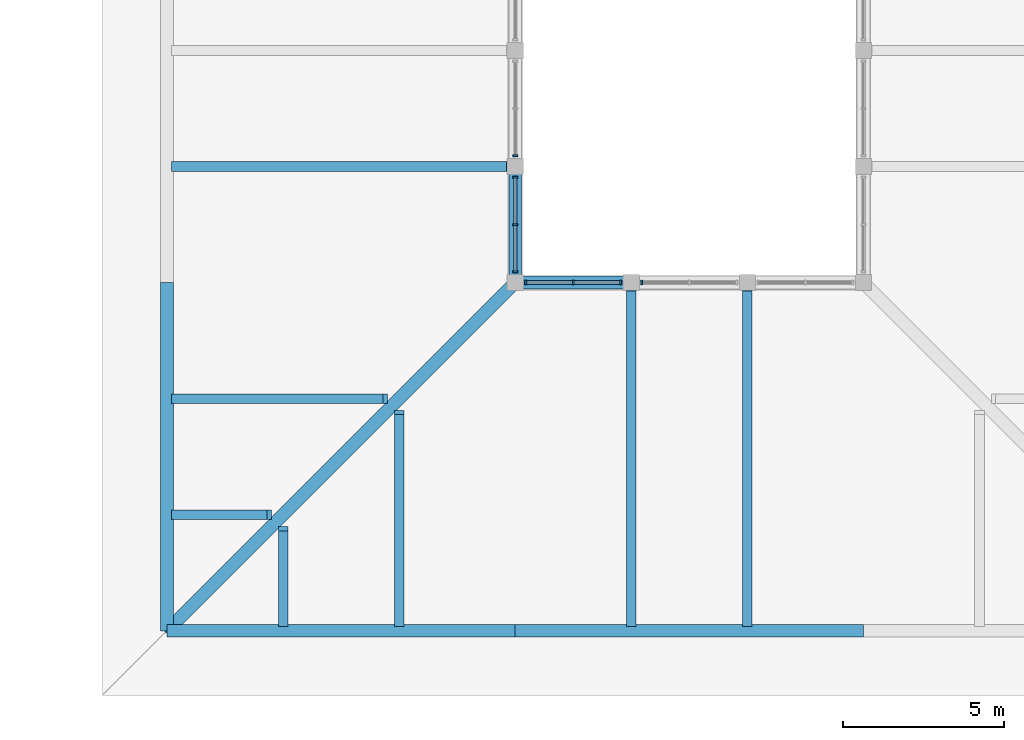
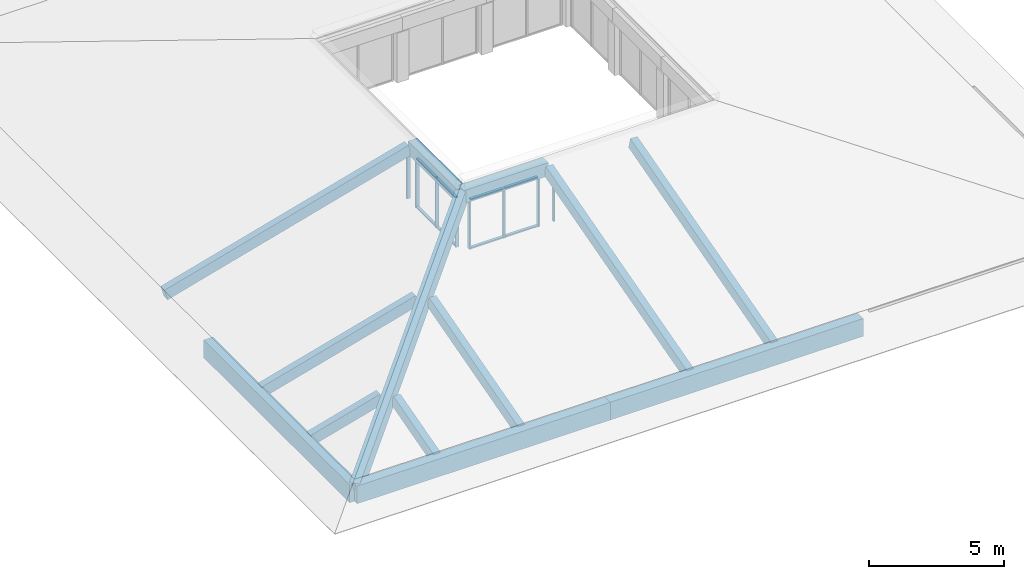
# One storey, part 9 of 95: 16 members, 13 beams, 4 elements without a shape of their own.
"""IFC4 building model written with IfcOpenShell, lengths in metres."""

from ifc_helpers import new_model, si_unit, direction, frame, origin, origin_2d, place, context, subcontext, project, spatial, rectangle, extrude, material, layer, layer_set, material_profile, profile_set, type_object, element, aggregate, save


model = new_model("IFC4")

# Units and contexts
model_context = context("Model", 3, precision=1e-05, world=origin(), true_north=direction((0.0, 1.0)))
body_context = subcontext(model_context, "Body", "Model", "MODEL_VIEW")
ifc_project = project(units=[si_unit("LENGTHUNIT", "METRE"), si_unit("AREAUNIT", "SQUARE_METRE"), si_unit("VOLUMEUNIT", "CUBIC_METRE"), si_unit("PLANEANGLEUNIT", "RADIAN"), si_unit("MASSUNIT", "GRAM", prefix="KILO")], contexts=[model_context])

# Site, building, storey
site_placement = place(None, origin())
site = spatial("IfcSite", under=ifc_project, at=site_placement, CompositionType="ELEMENT")
building_placement = place(site_placement, origin())
building = spatial("IfcBuilding", under=site, at=building_placement, Name="Magnolia Steps Interchange", CompositionType="ELEMENT")
storey_placement = place(building_placement, frame((0.0, 0.0, 4.800048828125)))
storey = spatial("IfcBuildingStorey", under=building, at=storey_placement, Name="L01", CompositionType="ELEMENT", Elevation=4.800048828125)

# Curtain wall, members
ifc_material_1 = material(Name="Timber-framed glazing", Category="wood")
ifc_layer = layer(ifc_material_1, 0.10009765625)
ifc_layer_set = layer_set([ifc_layer], Name="Patio clerestory curtain wall")
curtain_wall_type = type_object("IfcCurtainWallType", Name="Patio clerestory curtain wall", PredefinedType="NOTDEFINED", material=ifc_layer_set)
curtain_wall_1_placement = place(storey_placement, origin())
curtain_wall_1 = element("IfcCurtainWall", 1, at=curtain_wall_1_placement, inside=storey, type_object=curtain_wall_type, Name="Patio clerestory glazing S1", PredefinedType="NOTDEFINED")
ifc_material_2 = material(Name="White powder-coated aluminium", Category="aluminium")
ifc_material_profile_1 = material_profile(ifc_material_2, rectangle(XDim=0.06005859375, YDim=0.14990234375, at=origin_2d()), Name="Aluminium mullion 60 x 150")
ifc_profile_set_1 = profile_set([ifc_material_profile_1], Name="White powder-coated aluminium")
member_type_1 = type_object("IfcMemberType", Name="Aluminium mullion 60 x 150", PredefinedType="MULLION", material=ifc_profile_set_1)
member_1_placement = place(storey_placement, frame((21.1298828125, 20.800048828125, 0.0), z_axis=(0.0, 0.0, 1.0), x_axis=(1.0, 0.0, 0.0)))
member_1 = element("IfcMember", 2, at=member_1_placement, type_object=member_type_1, Name="CW4 mullion 1", PredefinedType="MULLION", context=body_context, shape_type="SweptSolid", body=[
    extrude(rectangle(XDim=0.06005859375, YDim=0.14990234375, at=origin_2d()), origin(), (0.0, 0.0, 1.0), 2.25),
])
member_2_placement = place(storey_placement, frame((22.60009765625, 20.800048828125, 0.0), z_axis=(0.0, 0.0, 1.0), x_axis=(1.0, 0.0, 0.0)))
member_2 = element("IfcMember", 3, at=member_2_placement, type_object=member_type_1, Name="CW4 mullion 2", PredefinedType="MULLION", context=body_context, shape_type="SweptSolid", body=[
    extrude(rectangle(XDim=0.06005859375, YDim=0.14990234375, at=origin_2d()), origin(), (0.0, 0.0, 1.0), 2.25),
])
member_3_placement = place(storey_placement, frame((24.070068359375, 20.800048828125, 0.0), z_axis=(0.0, 0.0, 1.0), x_axis=(1.0, 0.0, 0.0)))
member_3 = element("IfcMember", 4, at=member_3_placement, type_object=member_type_1, Name="CW4 mullion 3", PredefinedType="MULLION", context=body_context, shape_type="SweptSolid", body=[
    extrude(rectangle(XDim=0.06005859375, YDim=0.14990234375, at=origin_2d()), origin(), (0.0, 0.0, 1.0), 2.25),
])

# Curtain wall, member
curtain_wall_2_placement = place(storey_placement, origin())
curtain_wall_2 = element("IfcCurtainWall", 5, at=curtain_wall_2_placement, inside=storey, type_object=curtain_wall_type, Name="Patio clerestory glazing S2", PredefinedType="NOTDEFINED")
member_4_placement = place(storey_placement, frame((24.72998046875, 20.800048828125, 0.0), z_axis=(0.0, 0.0, 1.0), x_axis=(1.0, 0.0, 0.0)))
member_4 = element("IfcMember", 6, at=member_4_placement, type_object=member_type_1, Name="CW4 mullion 1", PredefinedType="MULLION", context=body_context, shape_type="SweptSolid", body=[
    extrude(rectangle(XDim=0.06005859375, YDim=0.14990234375, at=origin_2d()), origin(), (0.0, 0.0, 1.0), 2.25),
])
aggregate(curtain_wall_2, [member_4])

curtain_wall_3_placement = place(storey_placement, origin())
curtain_wall_3 = element("IfcCurtainWall", 7, at=curtain_wall_3_placement, inside=storey, type_object=curtain_wall_type, Name="Patio clerestory glazing W2", PredefinedType="NOTDEFINED")
member_5_placement = place(storey_placement, frame((20.800048828125, 24.72998046875, 0.0), z_axis=(0.0, 0.0, 1.0), x_axis=(0.0, -1.0, 0.0)))
member_5 = element("IfcMember", 8, at=member_5_placement, type_object=member_type_1, Name="CW4 mullion 3", PredefinedType="MULLION", context=body_context, shape_type="SweptSolid", body=[
    extrude(rectangle(XDim=0.06005859375, YDim=0.14990234375, at=origin_2d()), origin(), (0.0, 0.0, 1.0), 2.25),
])
aggregate(curtain_wall_3, [member_5])

# Curtain wall, members
curtain_wall_4_placement = place(storey_placement, origin())
curtain_wall_4 = element("IfcCurtainWall", 9, at=curtain_wall_4_placement, inside=storey, type_object=curtain_wall_type, Name="Patio clerestory glazing W3", PredefinedType="NOTDEFINED")
member_6_placement = place(storey_placement, frame((20.800048828125, 24.070068359375, 0.0), z_axis=(0.0, 0.0, 1.0), x_axis=(0.0, -1.0, 0.0)))
member_6 = element("IfcMember", 10, at=member_6_placement, type_object=member_type_1, Name="CW4 mullion 1", PredefinedType="MULLION", context=body_context, shape_type="SweptSolid", body=[
    extrude(rectangle(XDim=0.06005859375, YDim=0.14990234375, at=origin_2d()), origin(), (0.0, 0.0, 1.0), 2.25),
])
member_7_placement = place(storey_placement, frame((20.800048828125, 22.60009765625, 0.0), z_axis=(0.0, 0.0, 1.0), x_axis=(0.0, -1.0, 0.0)))
member_7 = element("IfcMember", 11, at=member_7_placement, type_object=member_type_1, Name="CW4 mullion 2", PredefinedType="MULLION", context=body_context, shape_type="SweptSolid", body=[
    extrude(rectangle(XDim=0.06005859375, YDim=0.14990234375, at=origin_2d()), origin(), (0.0, 0.0, 1.0), 2.25),
])
member_8_placement = place(storey_placement, frame((20.800048828125, 21.1298828125, 0.0), z_axis=(0.0, 0.0, 1.0), x_axis=(0.0, -1.0, 0.0)))
member_8 = element("IfcMember", 12, at=member_8_placement, type_object=member_type_1, Name="CW4 mullion 3", PredefinedType="MULLION", context=body_context, shape_type="SweptSolid", body=[
    extrude(rectangle(XDim=0.06005859375, YDim=0.14990234375, at=origin_2d()), origin(), (0.0, 0.0, 1.0), 2.25),
])

# Member
ifc_material_3 = material(Name="White powder-coated aluminium", Category="aluminium")
ifc_material_profile_2 = material_profile(ifc_material_3, rectangle(XDim=0.06005859375, YDim=0.1201171875, at=origin_2d()), Name="Aluminium transom 60 x 120")
ifc_profile_set_2 = profile_set([ifc_material_profile_2], Name="White powder-coated aluminium")
member_type_2 = type_object("IfcMemberType", Name="Aluminium transom 60 x 120", PredefinedType="USERDEFINED", material=ifc_profile_set_2)
member_9_placement = place(storey_placement, frame((21.159912109375, 20.800048828125, 0.030029296875), z_axis=(1.0, 0.0, 0.0), x_axis=(0.0, 0.0, 1.0)))
member_9 = element("IfcMember", 13, at=member_9_placement, type_object=member_type_2, Name="CW4 transom 1.1", ObjectType="TRANSOM", PredefinedType="USERDEFINED", context=body_context, shape_type="SweptSolid", body=[
    extrude(rectangle(XDim=0.06005859375, YDim=0.1201171875, at=origin_2d()), origin(), (0.0, 0.0, 1.0), 1.41015625),
])

member_10_placement = place(storey_placement, frame((21.159912109375, 20.800048828125, 2.219970703125), z_axis=(1.0, 0.0, 0.0), x_axis=(0.0, 0.0, 1.0)))
member_10 = element("IfcMember", 14, at=member_10_placement, type_object=member_type_2, Name="CW4 transom 1.2", ObjectType="TRANSOM", PredefinedType="USERDEFINED", context=body_context, shape_type="SweptSolid", body=[
    extrude(rectangle(XDim=0.06005859375, YDim=0.1201171875, at=origin_2d()), origin(), (0.0, 0.0, 1.0), 1.41015625),
])

member_11_placement = place(storey_placement, frame((22.6298828125, 20.800048828125, 0.030029296875), z_axis=(1.0, 0.0, 0.0), x_axis=(0.0, 0.0, 1.0)))
member_11 = element("IfcMember", 15, at=member_11_placement, type_object=member_type_2, Name="CW4 transom 2.1", ObjectType="TRANSOM", PredefinedType="USERDEFINED", context=body_context, shape_type="SweptSolid", body=[
    extrude(rectangle(XDim=0.06005859375, YDim=0.1201171875, at=origin_2d()), origin(), (0.0, 0.0, 1.0), 1.41015625),
])

member_12_placement = place(storey_placement, frame((22.6298828125, 20.800048828125, 2.219970703125), z_axis=(1.0, 0.0, 0.0), x_axis=(0.0, 0.0, 1.0)))
member_12 = element("IfcMember", 16, at=member_12_placement, type_object=member_type_2, Name="CW4 transom 2.2", ObjectType="TRANSOM", PredefinedType="USERDEFINED", context=body_context, shape_type="SweptSolid", body=[
    extrude(rectangle(XDim=0.06005859375, YDim=0.1201171875, at=origin_2d()), origin(), (0.0, 0.0, 1.0), 1.41015625),
])

aggregate(curtain_wall_1, [member_1, member_2, member_3, member_9, member_10, member_11, member_12])

member_13_placement = place(storey_placement, frame((20.800048828125, 24.0400390625, 0.030029296875), z_axis=(0.0, -1.0, 0.0), x_axis=(0.0, 0.0, 1.0)))
member_13 = element("IfcMember", 17, at=member_13_placement, type_object=member_type_2, Name="CW4 transom 1.1", ObjectType="TRANSOM", PredefinedType="USERDEFINED", context=body_context, shape_type="SweptSolid", body=[
    extrude(rectangle(XDim=0.06005859375, YDim=0.1201171875, at=origin_2d()), origin(), (0.0, 0.0, 1.0), 1.41015625),
])

member_14_placement = place(storey_placement, frame((20.800048828125, 24.0400390625, 2.219970703125), z_axis=(0.0, -1.0, 0.0), x_axis=(0.0, 0.0, 1.0)))
member_14 = element("IfcMember", 18, at=member_14_placement, type_object=member_type_2, Name="CW4 transom 1.2", ObjectType="TRANSOM", PredefinedType="USERDEFINED", context=body_context, shape_type="SweptSolid", body=[
    extrude(rectangle(XDim=0.06005859375, YDim=0.1201171875, at=origin_2d()), origin(), (0.0, 0.0, 1.0), 1.41015625),
])

member_15_placement = place(storey_placement, frame((20.800048828125, 22.570068359375, 0.030029296875), z_axis=(0.0, -1.0, 0.0), x_axis=(0.0, 0.0, 1.0)))
member_15 = element("IfcMember", 19, at=member_15_placement, type_object=member_type_2, Name="CW4 transom 2.1", ObjectType="TRANSOM", PredefinedType="USERDEFINED", context=body_context, shape_type="SweptSolid", body=[
    extrude(rectangle(XDim=0.06005859375, YDim=0.1201171875, at=origin_2d()), origin(), (0.0, 0.0, 1.0), 1.41015625),
])

member_16_placement = place(storey_placement, frame((20.800048828125, 22.570068359375, 2.219970703125), z_axis=(0.0, -1.0, 0.0), x_axis=(0.0, 0.0, 1.0)))
member_16 = element("IfcMember", 20, at=member_16_placement, type_object=member_type_2, Name="CW4 transom 2.2", ObjectType="TRANSOM", PredefinedType="USERDEFINED", context=body_context, shape_type="SweptSolid", body=[
    extrude(rectangle(XDim=0.06005859375, YDim=0.1201171875, at=origin_2d()), origin(), (0.0, 0.0, 1.0), 1.41015625),
])

aggregate(curtain_wall_4, [member_6, member_7, member_8, member_13, member_14, member_15, member_16])

# Beams
ifc_material_4 = material(Name="Concrete C40", Category="concrete")
ifc_material_profile_3 = material_profile(ifc_material_4, rectangle(XDim=0.39990234375, YDim=0.800048828125, at=origin_2d()), Name="RC400x800")
ifc_profile_set_3 = profile_set([ifc_material_profile_3], Name="Concrete C40")
beam_type_1 = type_object("IfcBeamType", Name="Eaves ring beam 400x800", PredefinedType="BEAM", material=ifc_profile_set_3)
for number, where, z_axis, x_axis, name in (
    (21, (10.0, 10.0, -0.550048828125), (1.0, 0.0, 0.0), (0.0, 1.0, 0.0), "Eaves ring beam"),
    (22, (20.800048828125, 10.0, -0.550048828125), (1.0, 0.0, 0.0), (0.0, 1.0, 0.0), "Eaves ring beam"),
    (23, (10.0, 10.0, -0.550048828125), (0.0, 1.0, 0.0), (-1.0, 0.0, 0.0), "Eaves ring beam"),
):
    element("IfcBeam", number, at=place(storey_placement, frame(where, z_axis=z_axis, x_axis=x_axis)), inside=storey, type_object=beam_type_1, Name=name, PredefinedType="BEAM", context=body_context, shape_type="SweptSolid", body=[
        extrude(rectangle(XDim=0.39990234375, YDim=0.800048828125, at=origin_2d()), origin(), (0.0, 0.0, 1.0), 10.800048828125),
    ])
ifc_material_5 = material(Name="Concrete C40", Category="concrete")
ifc_material_profile_4 = material_profile(ifc_material_5, rectangle(XDim=0.39990234375, YDim=0.699951171875, at=origin_2d()), Name="RC400x700")
ifc_profile_set_4 = profile_set([ifc_material_profile_4], Name="Concrete C40")
beam_type_2 = type_object("IfcBeamType", Name="Hip beam 400x700", PredefinedType="BEAM", material=ifc_profile_set_4)
beam_1_placement = place(storey_placement, frame((10.0, 10.0, -0.509765625), z_axis=(0.693849126571, 0.693849126571, 0.192734997113), x_axis=(-0.707106781187, 0.707106781187, 0.0)))
element("IfcBeam", 24, at=beam_1_placement, inside=storey, type_object=beam_type_2, Name="Hip beam", PredefinedType="BEAM", context=body_context, shape_type="SweptSolid", body=[
    extrude(rectangle(XDim=0.39990234375, YDim=0.699951171875, at=origin_2d()), origin(), (0.0, 0.0, 1.0), 15.5654296875),
])
ifc_material_6 = material(Name="Concrete C40", Category="concrete")
ifc_material_profile_5 = material_profile(ifc_material_6, rectangle(XDim=0.39990234375, YDim=0.60009765625, at=origin_2d()), Name="RC400x600")
ifc_profile_set_5 = profile_set([ifc_material_profile_5], Name="Concrete C40")
beam_type_3 = type_object("IfcBeamType", Name="Ridge ring beam 400x600", PredefinedType="BEAM", material=ifc_profile_set_5)
for number, where, z_axis, x_axis, name in (
    (25, (20.800048828125, 20.800048828125, 2.550048828125), (1.0, 0.0, 0.0), (0.0, 1.0, 0.0), "Ridge ring beam"),
    (26, (20.800048828125, 20.800048828125, 2.550048828125), (0.0, 1.0, 0.0), (-1.0, 0.0, 0.0), "Ridge ring beam"),
):
    element("IfcBeam", number, at=place(storey_placement, frame(where, z_axis=z_axis, x_axis=x_axis)), inside=storey, type_object=beam_type_3, Name=name, PredefinedType="BEAM", context=body_context, shape_type="SweptSolid", body=[
        extrude(rectangle(XDim=0.39990234375, YDim=0.60009765625, at=origin_2d()), origin(), (0.0, 0.0, 1.0), 3.599853515625),
    ])
ifc_material_7 = material(Name="Concrete C40", Category="concrete")
ifc_material_profile_6 = material_profile(ifc_material_7, rectangle(XDim=0.300048828125, YDim=0.5, at=origin_2d()), Name="RC300x500")
ifc_profile_set_6 = profile_set([ifc_material_profile_6], Name="Concrete C40")
beam_type_4 = type_object("IfcBeamType", Name="Roof rafter 300x500", PredefinedType="BEAM", material=ifc_profile_set_6)
beam_2_placement = place(storey_placement, frame((13.60009765625, 10.199951171875, -0.359619140625), z_axis=(0.0, 0.963520181113, 0.267635686312), x_axis=(-1.0, 0.0, 0.0)))
element("IfcBeam", 27, at=beam_2_placement, inside=storey, type_object=beam_type_4, Name="Roof rafter", PredefinedType="BEAM", context=body_context, shape_type="SweptSolid", body=[
    extrude(rectangle(XDim=0.300048828125, YDim=0.5, at=origin_2d()), origin(), (0.0, 0.0, 1.0), 3.07958984375),
])
beam_3_placement = place(storey_placement, frame((17.199951171875, 10.199951171875, -0.359619140625), z_axis=(0.0, 0.96351739645, 0.267645711226), x_axis=(-1.0, 0.0, 0.0)))
element("IfcBeam", 28, at=beam_3_placement, inside=storey, type_object=beam_type_4, Name="Roof rafter", PredefinedType="BEAM", context=body_context, shape_type="SweptSolid", body=[
    extrude(rectangle(XDim=0.300048828125, YDim=0.5, at=origin_2d()), origin(), (0.0, 0.0, 1.0), 6.81591796875),
])
for number, where, z_axis, x_axis, name in (
    (29, (24.39990234375, 10.199951171875, -0.359619140625), (0.0, 0.963518233674, 0.267642697224), (-1.0, 0.0, 0.0), "Roof rafter"),
    (30, (28.0, 10.199951171875, -0.359619140625), (0.0, 0.963518233674, 0.267642697224), (-1.0, 0.0, 0.0), "Roof rafter"),
):
    element("IfcBeam", number, at=place(storey_placement, frame(where, z_axis=z_axis, x_axis=x_axis)), inside=storey, type_object=beam_type_4, Name=name, PredefinedType="BEAM", context=body_context, shape_type="SweptSolid", body=[
        extrude(rectangle(XDim=0.300048828125, YDim=0.5, at=origin_2d()), origin(), (0.0, 0.0, 1.0), 10.7939453125),
    ])
beam_4_placement = place(storey_placement, frame((10.199951171875, 13.60009765625, -0.359619140625), z_axis=(0.963520181113, 0.0, 0.267635686312), x_axis=(0.0, 1.0, 0.0)))
element("IfcBeam", 31, at=beam_4_placement, inside=storey, type_object=beam_type_4, Name="Roof rafter", PredefinedType="BEAM", context=body_context, shape_type="SweptSolid", body=[
    extrude(rectangle(XDim=0.300048828125, YDim=0.5, at=origin_2d()), origin(), (0.0, 0.0, 1.0), 3.07958984375),
])
beam_5_placement = place(storey_placement, frame((10.199951171875, 17.199951171875, -0.359619140625), z_axis=(0.96351739645, 0.0, 0.267645711226), x_axis=(0.0, 1.0, 0.0)))
element("IfcBeam", 32, at=beam_5_placement, inside=storey, type_object=beam_type_4, Name="Roof rafter", PredefinedType="BEAM", context=body_context, shape_type="SweptSolid", body=[
    extrude(rectangle(XDim=0.300048828125, YDim=0.5, at=origin_2d()), origin(), (0.0, 0.0, 1.0), 6.81591796875),
])
beam_6_placement = place(storey_placement, frame((10.199951171875, 24.39990234375, -0.359619140625), z_axis=(0.963518233674, 0.0, 0.267642697224), x_axis=(0.0, 1.0, 0.0)))
element("IfcBeam", 33, at=beam_6_placement, inside=storey, type_object=beam_type_4, Name="Roof rafter", PredefinedType="BEAM", context=body_context, shape_type="SweptSolid", body=[
    extrude(rectangle(XDim=0.300048828125, YDim=0.5, at=origin_2d()), origin(), (0.0, 0.0, 1.0), 10.7939453125),
])

save(model, "model.ifc")
